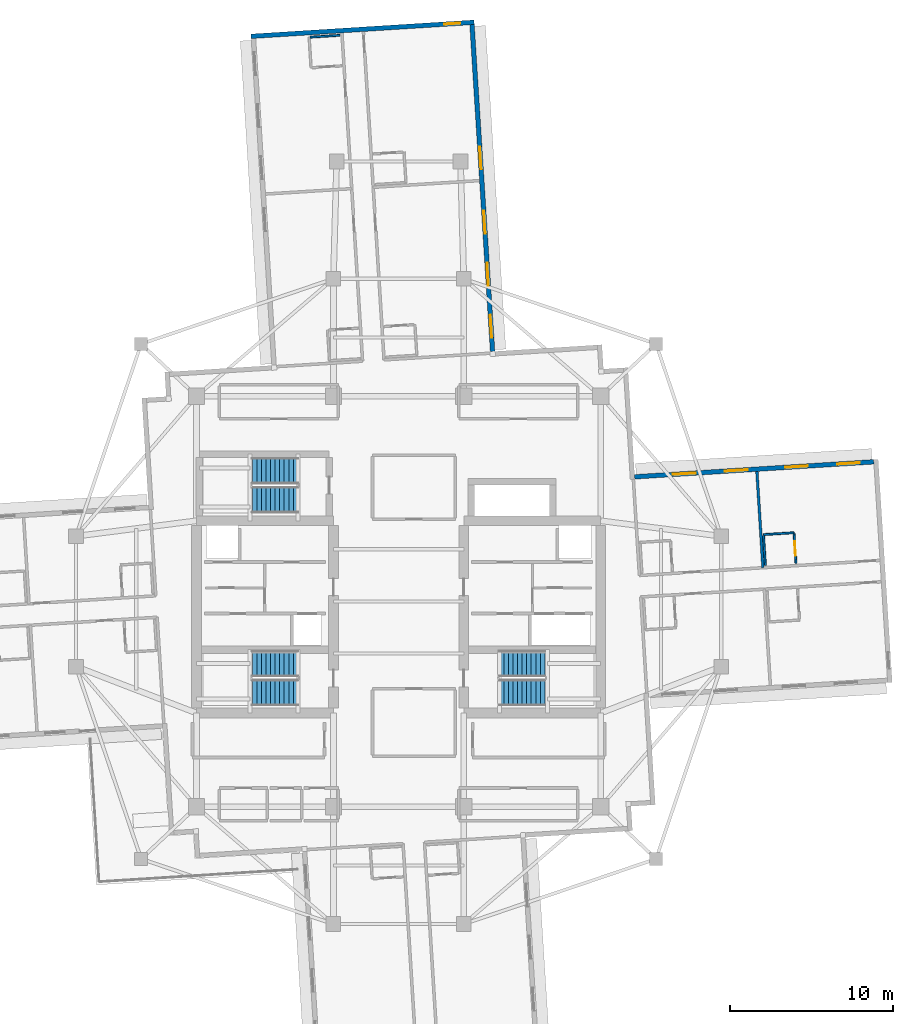
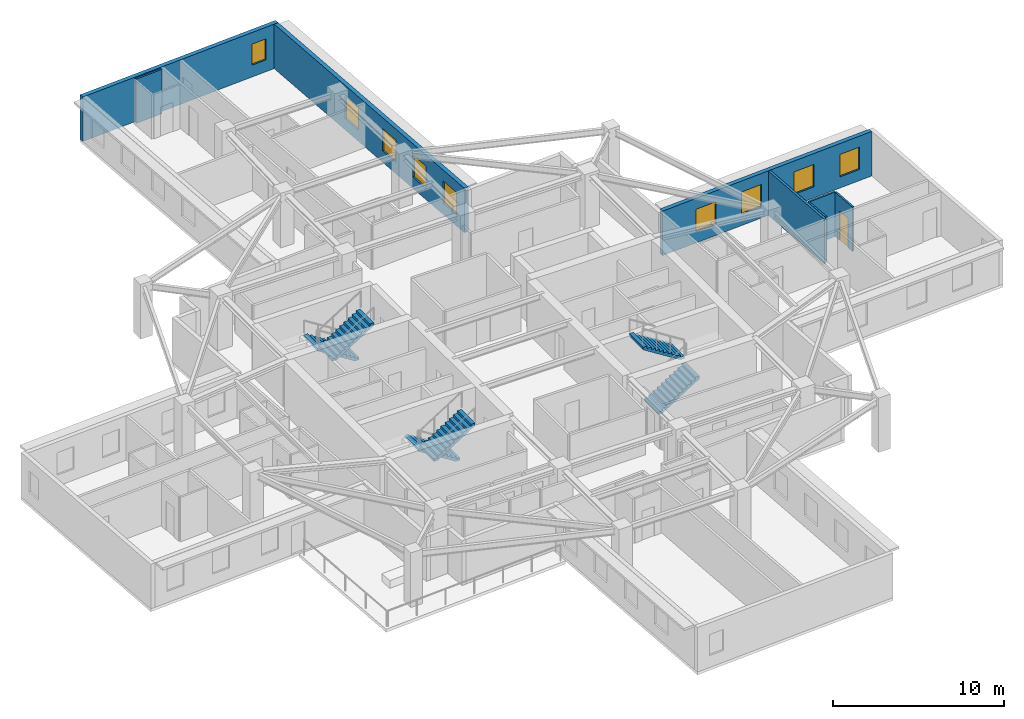
# One storey, part 8 of 12: 9 windows, 8 walls, 6 stair flights, 1 door, 10 openings, 3 elements without a shape of their own.
"""IFC4 building model written with IfcOpenShell, lengths in metres."""

from ifc_helpers import new_model, si_unit, direction, frame, frame_2d, origin, place, context, subcontext, project, spatial, polyline, rectangle, outline, extrude, material, layer, layer_set, type_object, element, fill, aggregate, save


model = new_model("IFC4")

# Units and contexts
model_context = context("Model", 3, precision=1e-05, world=origin(), true_north=direction((0.0, 1.0)))
body_context = subcontext(model_context, "Body", "Model", "MODEL_VIEW")
ifc_project = project(units=[si_unit("LENGTHUNIT", "METRE"), si_unit("AREAUNIT", "SQUARE_METRE"), si_unit("VOLUMEUNIT", "CUBIC_METRE"), si_unit("PLANEANGLEUNIT", "RADIAN"), si_unit("MASSUNIT", "GRAM", prefix="KILO")], contexts=[model_context])

# Site, building, storey
site_placement = place(None, origin())
site = spatial("IfcSite", under=ifc_project, at=site_placement, CompositionType="ELEMENT")
building_placement = place(site_placement, origin())
building = spatial("IfcBuilding", under=site, at=building_placement, Name="Qingluan Cross Belvedere", CompositionType="ELEMENT")
storey_placement = place(building_placement, frame((0.0, 0.0, 209.10009765625)))
storey = spatial("IfcBuildingStorey", under=building, at=storey_placement, Name="L52", CompositionType="ELEMENT", Elevation=209.10009765625)

# Wall
ifc_material_1 = material(Name="Gypsum plasterboard on steel stud acoustic partition", Category="steel")
ifc_layer_1 = layer(ifc_material_1, 0.159912109375, Name="CorridorPartition_160")
ifc_layer_set_1 = layer_set([ifc_layer_1], Name="Gypsum plasterboard on steel stud acoustic partition")
wall_type_1 = type_object("IfcWallType", Name="CorridorPartition_160", PredefinedType="PARTITIONING", material=ifc_layer_set_1)
wall_1_placement = place(storey_placement, frame((22.3603515625, 2.068115234375, 0.0), z_axis=(0.0, 0.0, 1.0), x_axis=(-0.062810194096, 0.998025490415, 0.0)))
element("IfcWall", 1, at=wall_1_placement, inside=storey, type_object=wall_type_1, Name="Partition L52:E:d0_0", PredefinedType="PARTITIONING", context=body_context, shape_type="SweptSolid", body=[
    extrude(rectangle(XDim=5.912109375, YDim=0.159912109375, at=frame_2d((2.9560546875, 0.0))), origin(), (0.0, 0.0, 1.0), 3.169921875),
])

# Wall, opening, door
ifc_material_2 = material(Name="Moisture-resistant gypsum board lining")
ifc_layer_2 = layer(ifc_material_2, 0.1201171875, Name="EnsuiteWetPartition_120")
ifc_layer_set_2 = layer_set([ifc_layer_2], Name="Moisture-resistant gypsum board lining")
wall_type_2 = type_object("IfcWallType", Name="EnsuiteWetPartition_120", PredefinedType="PARTITIONING", material=ifc_layer_set_2)
wall_2_placement = place(storey_placement, frame((24.387451171875, 2.3359375, 0.0), z_axis=(0.0, 0.0, 1.0), x_axis=(-0.062779145668, 0.998027443946, 0.0)))
wall_2 = element("IfcWall", 2, at=wall_2_placement, inside=storey, type_object=wall_type_2, Name="Partition L52:E:bs0_1", PredefinedType="PARTITIONING", context=body_context, shape_type="SweptSolid", body=[
    extrude(rectangle(XDim=1.820068359375, YDim=0.1201171875, at=frame_2d((0.91015625, 0.0))), origin(), (0.0, 0.0, 1.0), 3.169921875),
])
opening_1_placement = place(wall_2_placement, frame((0.469970703125, 0.0, 0.0)))
opening_1 = element("IfcOpeningElement", 3, at=opening_1_placement, cuts=wall_2, Name="Opening BD-09", PredefinedType="OPENING", context=body_context, shape_type="SweptSolid", body=[
    extrude(rectangle(XDim=0.8798828125, YDim=2.10009765625, at=frame_2d((0.43994140625, 1.050048828125))), frame((0.0, 0.070068359375, 0.0), z_axis=(0.0, -1.0, 0.0), x_axis=(1.0, 0.0, 0.0)), (0.0, 0.0, 1.0), 0.14013671875),
])
ifc_material_3 = material(Name="Moisture-sealed timber en-suite door", Category="wood")
door_type = type_object("IfcDoorType", Name="BathroomDoor_880", OperationType="NOTDEFINED", PredefinedType="DOOR", material=ifc_material_3)
door_placement = place(opening_1_placement, origin())
door = element("IfcDoor", 4, at=door_placement, inside=storey, type_object=door_type, Name="Bathroom door 5202", OperationType="SINGLE_SWING_LEFT", OverallHeight=2.10009765625, OverallWidth=0.8798828125, PredefinedType="DOOR", context=body_context, shape_type="SweptSolid", body=[
    extrude(rectangle(XDim=0.8798828125, YDim=2.10009765625, at=frame_2d((0.43994140625, 1.050048828125))), frame((0.0, 0.02490234375, 0.0), z_axis=(0.0, -1.0, 0.0), x_axis=(1.0, 0.0, 0.0)), (0.0, 0.0, 1.0), 0.050048828125),
])
fill(opening_1, door)

# Walls
wall_3_placement = place(storey_placement, frame((22.51123046875, 2.218017578125, 0.0), z_axis=(0.0, 0.0, 1.0), x_axis=(-0.062787551592, 0.998026915151, 0.0)))
element("IfcWall", 5, at=wall_3_placement, inside=storey, type_object=wall_type_2, Name="Partition L52:E:bw0_1", PredefinedType="PARTITIONING", context=body_context, shape_type="SweptSolid", body=[
    extrude(rectangle(XDim=1.81982421875, YDim=0.1201171875, at=frame_2d((0.909912109375, 0.0))), origin(), (0.0, 0.0, 1.0), 3.169921875),
])
wall_4_placement = place(storey_placement, frame((22.392822265625, 4.09912109375, 0.0), z_axis=(0.0, 0.0, 1.0), x_axis=(0.998022650819, 0.062855297722, 0.0)))
element("IfcWall", 6, at=wall_4_placement, inside=storey, type_object=wall_type_2, Name="Partition L52:E:bn0_1", PredefinedType="PARTITIONING", context=body_context, shape_type="SweptSolid", body=[
    extrude(rectangle(XDim=1.8798828125, YDim=0.1201171875, at=frame_2d((0.93994140625, 0.0))), origin(), (0.0, 0.0, 1.0), 3.169921875),
])
wall_5_placement = place(storey_placement, frame((-5.425048828125, 34.627685546875, 0.0), z_axis=(0.0, 0.0, 1.0), x_axis=(0.998027443946, 0.062779145668, 0.0)))
element("IfcWall", 7, at=wall_5_placement, inside=storey, type_object=wall_type_2, Name="Partition L52:N:bw1_1", PredefinedType="PARTITIONING", context=body_context, shape_type="SweptSolid", body=[
    extrude(rectangle(XDim=1.820068359375, YDim=0.1201171875, at=frame_2d((0.91015625, 0.0))), origin(), (0.0, 0.0, 1.0), 3.169921875),
])

# Wall, openings, windows
ifc_material_4 = material(Name="Precast concrete C45", Category="concrete")
ifc_layer_3 = layer(ifc_material_4, 0.280029296875, Name="PrecastFacadeWall_280")
ifc_layer_set_3 = layer_set([ifc_layer_3], Name="Precast concrete C45")
wall_type_3 = type_object("IfcWallType", Name="PrecastFacadeWall_280", PredefinedType="STANDARD", material=ifc_layer_set_3)
wall_6_placement = place(storey_placement, frame((29.15966796875, 8.56787109375, 0.0), z_axis=(0.0, 0.0, 1.0), x_axis=(-0.998026448555, -0.062794967833, 0.0)))
wall_6 = element("IfcWall", 8, at=wall_6_placement, inside=storey, type_object=wall_type_3, Name="Facade wall L52-EB", PredefinedType="STANDARD", context=body_context, shape_type="SweptSolid", body=[
    extrude(rectangle(XDim=14.7001953125, YDim=0.280029296875, at=frame_2d((7.35009765625, 0.0))), origin(), (0.0, 0.0, 1.0), 3.179931640625),
])
opening_2_placement = place(wall_6_placement, frame((0.85009765625, 0.0, 0.800048828125)))
opening_2 = element("IfcOpeningElement", 9, at=opening_2_placement, cuts=wall_6, Name="Opening W-01", PredefinedType="OPENING", context=body_context, shape_type="SweptSolid", body=[
    extrude(rectangle(XDim=1.39990234375, YDim=1.60009765625, at=frame_2d((0.699951171875, 0.800048828125))), frame((0.0, 0.14990234375, 0.0), z_axis=(0.0, -1.0, 0.0), x_axis=(1.0, 0.0, 0.0)), (0.0, 0.0, 1.0), 0.300048828125),
])
opening_3_placement = place(wall_6_placement, frame((4.050048828125, 0.0, 0.800048828125)))
opening_3 = element("IfcOpeningElement", 10, at=opening_3_placement, cuts=wall_6, Name="Opening W-01", PredefinedType="OPENING", context=body_context, shape_type="SweptSolid", body=[
    extrude(rectangle(XDim=1.39990234375, YDim=1.60009765625, at=frame_2d((0.699951171875, 0.800048828125))), frame((0.0, 0.14990234375, 0.0), z_axis=(0.0, -1.0, 0.0), x_axis=(1.0, 0.0, 0.0)), (0.0, 0.0, 1.0), 0.300048828125),
])
opening_4_placement = place(wall_6_placement, frame((7.75, 0.0, 0.800048828125)))
opening_4 = element("IfcOpeningElement", 11, at=opening_4_placement, cuts=wall_6, Name="Opening W-01", PredefinedType="OPENING", context=body_context, shape_type="SweptSolid", body=[
    extrude(rectangle(XDim=1.39990234375, YDim=1.60009765625, at=frame_2d((0.699951171875, 0.800048828125))), frame((0.0, 0.14990234375, 0.0), z_axis=(0.0, -1.0, 0.0), x_axis=(1.0, 0.0, 0.0)), (0.0, 0.0, 1.0), 0.300048828125),
])
opening_5_placement = place(wall_6_placement, frame((10.949951171875, 0.0, 0.800048828125)))
opening_5 = element("IfcOpeningElement", 12, at=opening_5_placement, cuts=wall_6, Name="Opening W-01", PredefinedType="OPENING", context=body_context, shape_type="SweptSolid", body=[
    extrude(rectangle(XDim=1.39990234375, YDim=1.60009765625, at=frame_2d((0.699951171875, 0.800048828125))), frame((0.0, 0.14990234375, 0.0), z_axis=(0.0, -1.0, 0.0), x_axis=(1.0, 0.0, 0.0)), (0.0, 0.0, 1.0), 0.300048828125),
])
ifc_material_5 = material(Name="Thermally broken triple Low-E glass in aluminium frame", Category="aluminium")
window_type_1 = type_object("IfcWindowType", Name="TriRibbonWin_1400x1600", PartitioningType="SINGLE_PANEL", PredefinedType="WINDOW", material=ifc_material_5)
window_1_placement = place(opening_2_placement, origin())
window_1 = element("IfcWindow", 13, at=window_1_placement, inside=storey, type_object=window_type_1, Name="Ribbon window L52-EB-1", OverallHeight=1.60009765625, OverallWidth=1.39990234375, PartitioningType="SINGLE_PANEL", PredefinedType="WINDOW", context=body_context, shape_type="SweptSolid", body=[
    extrude(rectangle(XDim=1.39990234375, YDim=1.60009765625, at=frame_2d((0.699951171875, 0.800048828125))), frame((0.0, 0.030029296875, 0.0), z_axis=(0.0, -1.0, 0.0), x_axis=(1.0, 0.0, 0.0)), (0.0, 0.0, 1.0), 0.06005859375),
])
fill(opening_2, window_1)
window_2_placement = place(opening_3_placement, origin())
window_2 = element("IfcWindow", 14, at=window_2_placement, inside=storey, type_object=window_type_1, Name="Ribbon window L52-EB-2", OverallHeight=1.60009765625, OverallWidth=1.39990234375, PartitioningType="SINGLE_PANEL", PredefinedType="WINDOW", context=body_context, shape_type="SweptSolid", body=[
    extrude(rectangle(XDim=1.39990234375, YDim=1.60009765625, at=frame_2d((0.699951171875, 0.800048828125))), frame((0.0, 0.030029296875, 0.0), z_axis=(0.0, -1.0, 0.0), x_axis=(1.0, 0.0, 0.0)), (0.0, 0.0, 1.0), 0.06005859375),
])
fill(opening_3, window_2)
window_3_placement = place(opening_4_placement, origin())
window_3 = element("IfcWindow", 15, at=window_3_placement, inside=storey, type_object=window_type_1, Name="Ribbon window L52-EB-3", OverallHeight=1.60009765625, OverallWidth=1.39990234375, PartitioningType="SINGLE_PANEL", PredefinedType="WINDOW", context=body_context, shape_type="SweptSolid", body=[
    extrude(rectangle(XDim=1.39990234375, YDim=1.60009765625, at=frame_2d((0.699951171875, 0.800048828125))), frame((0.0, 0.030029296875, 0.0), z_axis=(0.0, -1.0, 0.0), x_axis=(1.0, 0.0, 0.0)), (0.0, 0.0, 1.0), 0.06005859375),
])
fill(opening_4, window_3)
window_4_placement = place(opening_5_placement, origin())
window_4 = element("IfcWindow", 16, at=window_4_placement, inside=storey, type_object=window_type_1, Name="Ribbon window L52-EB-4", OverallHeight=1.60009765625, OverallWidth=1.39990234375, PartitioningType="SINGLE_PANEL", PredefinedType="WINDOW", context=body_context, shape_type="SweptSolid", body=[
    extrude(rectangle(XDim=1.39990234375, YDim=1.60009765625, at=frame_2d((0.699951171875, 0.800048828125))), frame((0.0, 0.030029296875, 0.0), z_axis=(0.0, -1.0, 0.0), x_axis=(1.0, 0.0, 0.0)), (0.0, 0.0, 1.0), 0.06005859375),
])
fill(opening_5, window_4)

wall_7_placement = place(storey_placement, frame((5.7685546875, 15.33251953125, 0.0), z_axis=(0.0, 0.0, 1.0), x_axis=(-0.062784355807, 0.998027116198, 0.0)))
wall_7 = element("IfcWall", 17, at=wall_7_placement, inside=storey, type_object=wall_type_3, Name="Facade wall L52-NA", PredefinedType="STANDARD", context=body_context, shape_type="SweptSolid", body=[
    extrude(rectangle(XDim=20.099853515625, YDim=0.280029296875, at=frame_2d((10.0498046875, 0.0))), origin(), (0.0, 0.0, 1.0), 3.179931640625),
])
opening_6_placement = place(wall_7_placement, frame((0.85009765625, 0.0, 0.800048828125)))
opening_6 = element("IfcOpeningElement", 18, at=opening_6_placement, cuts=wall_7, Name="Opening W-01", PredefinedType="OPENING", context=body_context, shape_type="SweptSolid", body=[
    extrude(rectangle(XDim=1.39990234375, YDim=1.60009765625, at=frame_2d((0.699951171875, 0.800048828125))), frame((0.0, 0.14990234375, 0.0), z_axis=(0.0, -1.0, 0.0), x_axis=(1.0, 0.0, 0.0)), (0.0, 0.0, 1.0), 0.300048828125),
])
opening_7_placement = place(wall_7_placement, frame((4.050048828125, 0.0, 0.800048828125)))
opening_7 = element("IfcOpeningElement", 19, at=opening_7_placement, cuts=wall_7, Name="Opening W-01", PredefinedType="OPENING", context=body_context, shape_type="SweptSolid", body=[
    extrude(rectangle(XDim=1.39990234375, YDim=1.60009765625, at=frame_2d((0.699951171875, 0.800048828125))), frame((0.0, 0.14990234375, 0.0), z_axis=(0.0, -1.0, 0.0), x_axis=(1.0, 0.0, 0.0)), (0.0, 0.0, 1.0), 0.300048828125),
])
opening_8_placement = place(wall_7_placement, frame((7.25, 0.0, 0.800048828125)))
opening_8 = element("IfcOpeningElement", 20, at=opening_8_placement, cuts=wall_7, Name="Opening W-01", PredefinedType="OPENING", context=body_context, shape_type="SweptSolid", body=[
    extrude(rectangle(XDim=1.39990234375, YDim=1.60009765625, at=frame_2d((0.699951171875, 0.800048828125))), frame((0.0, 0.14990234375, 0.0), z_axis=(0.0, -1.0, 0.0), x_axis=(1.0, 0.0, 0.0)), (0.0, 0.0, 1.0), 0.300048828125),
])
opening_9_placement = place(wall_7_placement, frame((11.199951171875, 0.0, 0.800048828125)))
opening_9 = element("IfcOpeningElement", 21, at=opening_9_placement, cuts=wall_7, Name="Opening W-01", PredefinedType="OPENING", context=body_context, shape_type="SweptSolid", body=[
    extrude(rectangle(XDim=1.39990234375, YDim=1.60009765625, at=frame_2d((0.699951171875, 0.800048828125))), frame((0.0, 0.14990234375, 0.0), z_axis=(0.0, -1.0, 0.0), x_axis=(1.0, 0.0, 0.0)), (0.0, 0.0, 1.0), 0.300048828125),
])
window_5_placement = place(opening_6_placement, origin())
window_5 = element("IfcWindow", 22, at=window_5_placement, inside=storey, type_object=window_type_1, Name="Ribbon window L52-NA-1", OverallHeight=1.60009765625, OverallWidth=1.39990234375, PartitioningType="SINGLE_PANEL", PredefinedType="WINDOW", context=body_context, shape_type="SweptSolid", body=[
    extrude(rectangle(XDim=1.39990234375, YDim=1.60009765625, at=frame_2d((0.699951171875, 0.800048828125))), frame((0.0, 0.030029296875, 0.0), z_axis=(0.0, -1.0, 0.0), x_axis=(1.0, 0.0, 0.0)), (0.0, 0.0, 1.0), 0.06005859375),
])
fill(opening_6, window_5)
window_6_placement = place(opening_7_placement, origin())
window_6 = element("IfcWindow", 23, at=window_6_placement, inside=storey, type_object=window_type_1, Name="Ribbon window L52-NA-2", OverallHeight=1.60009765625, OverallWidth=1.39990234375, PartitioningType="SINGLE_PANEL", PredefinedType="WINDOW", context=body_context, shape_type="SweptSolid", body=[
    extrude(rectangle(XDim=1.39990234375, YDim=1.60009765625, at=frame_2d((0.699951171875, 0.800048828125))), frame((0.0, 0.030029296875, 0.0), z_axis=(0.0, -1.0, 0.0), x_axis=(1.0, 0.0, 0.0)), (0.0, 0.0, 1.0), 0.06005859375),
])
fill(opening_7, window_6)
window_7_placement = place(opening_8_placement, origin())
window_7 = element("IfcWindow", 24, at=window_7_placement, inside=storey, type_object=window_type_1, Name="Ribbon window L52-NA-3", OverallHeight=1.60009765625, OverallWidth=1.39990234375, PartitioningType="SINGLE_PANEL", PredefinedType="WINDOW", context=body_context, shape_type="SweptSolid", body=[
    extrude(rectangle(XDim=1.39990234375, YDim=1.60009765625, at=frame_2d((0.699951171875, 0.800048828125))), frame((0.0, 0.030029296875, 0.0), z_axis=(0.0, -1.0, 0.0), x_axis=(1.0, 0.0, 0.0)), (0.0, 0.0, 1.0), 0.06005859375),
])
fill(opening_8, window_7)
window_8_placement = place(opening_9_placement, origin())
window_8 = element("IfcWindow", 25, at=window_8_placement, inside=storey, type_object=window_type_1, Name="Ribbon window L52-NA-4", OverallHeight=1.60009765625, OverallWidth=1.39990234375, PartitioningType="SINGLE_PANEL", PredefinedType="WINDOW", context=body_context, shape_type="SweptSolid", body=[
    extrude(rectangle(XDim=1.39990234375, YDim=1.60009765625, at=frame_2d((0.699951171875, 0.800048828125))), frame((0.0, 0.030029296875, 0.0), z_axis=(0.0, -1.0, 0.0), x_axis=(1.0, 0.0, 0.0)), (0.0, 0.0, 1.0), 0.06005859375),
])
fill(opening_9, window_8)

# Wall, opening, window
wall_8_placement = place(storey_placement, frame((4.637451171875, 35.541259765625, 0.0), z_axis=(0.0, 0.0, 1.0), x_axis=(-0.998026318072, -0.062797041623, 0.0)))
wall_8 = element("IfcWall", 26, at=wall_8_placement, inside=storey, type_object=wall_type_3, Name="Arm tip precast facade wall L52-N", PredefinedType="STANDARD", context=body_context, shape_type="SweptSolid", body=[
    extrude(rectangle(XDim=13.719970703125, YDim=0.280029296875, at=frame_2d((6.85986328125, 0.0))), origin(), (0.0, 0.0, 1.0), 3.179931640625),
])
opening_10_placement = place(wall_8_placement, frame((0.85009765625, 0.0, 0.85009765625)))
opening_10 = element("IfcOpeningElement", 27, at=opening_10_placement, cuts=wall_8, Name="Opening W-03", PredefinedType="OPENING", context=body_context, shape_type="SweptSolid", body=[
    extrude(rectangle(XDim=1.0, YDim=1.5, at=frame_2d((0.5, 0.75))), frame((0.0, 0.14990234375, 0.0), z_axis=(0.0, -1.0, 0.0), x_axis=(1.0, 0.0, 0.0)), (0.0, 0.0, 1.0), 0.300048828125),
])
ifc_material_6 = material(Name="Thermally broken triple Low-E glass in aluminium frame", Category="aluminium")
window_type_2 = type_object("IfcWindowType", Name="TriApexWin_1000x1500", PartitioningType="SINGLE_PANEL", PredefinedType="WINDOW", material=ifc_material_6)
window_9_placement = place(opening_10_placement, origin())
window_9 = element("IfcWindow", 28, at=window_9_placement, inside=storey, type_object=window_type_2, Name="Arm tip triangular window L52-N", OverallHeight=1.5, OverallWidth=1.0, PartitioningType="SINGLE_PANEL", PredefinedType="WINDOW", context=body_context, shape_type="SweptSolid", body=[
    extrude(rectangle(XDim=1.0, YDim=1.5, at=frame_2d((0.5, 0.75))), frame((0.0, 0.030029296875, 0.0), z_axis=(0.0, -1.0, 0.0), x_axis=(1.0, 0.0, 0.0)), (0.0, 0.0, 1.0), 0.06005859375),
])
fill(opening_10, window_9)

# Stair, stair flights
ifc_material_7 = material(Name="Concrete C40", Category="concrete")
stair_type = type_object("IfcStairType", Name="CoreDoglegStair_1620", PredefinedType="HALF_TURN_STAIR", material=ifc_material_7)
stair_1_placement = place(storey_placement, origin())
stair_1 = element("IfcStair", 29, at=stair_1_placement, inside=storey, type_object=stair_type, Name="L52 ST1", PredefinedType="HALF_TURN_STAIR")
ifc_material_8 = material(Name="Concrete C40", Category="concrete")
ifc_layer_4 = layer(ifc_material_8, 0.179931640625, Name="StairFlight_RC180")
ifc_layer_set_4 = layer_set([ifc_layer_4], Name="Concrete C40")
stair_flight_type = type_object("IfcStairFlightType", Name="StairFlight_RC180", PredefinedType="STRAIGHT", material=ifc_layer_set_4)
stair_flight_1_placement = place(storey_placement, frame((-6.179931640625, -3.81005859375, 0.0), z_axis=(0.0, 0.0, 1.0), x_axis=(-1.0, 0.0, 0.0)))
stair_flight_1 = element("IfcStairFlight", 30, at=stair_flight_1_placement, type_object=stair_flight_type, Name="ST1 flight 1", NumberOfRisers=11, NumberOfTreads=10, PredefinedType="STRAIGHT", RiserHeight=0.177272727, TreadLength=0.28, context=body_context, shape_type="SweptSolid", body=[
    extrude(outline(polyline([(0.0, 0.0), (0.0, 0.17724609375), (0.280029296875, 0.17724609375), (0.280029296875, 0.3544921875), (0.56005859375, 0.3544921875), (0.56005859375, 0.53173828125), (0.840087890625, 0.53173828125), (0.840087890625, 0.708984375), (1.1201171875, 0.708984375), (1.1201171875, 0.886474609375), (1.39990234375, 0.886474609375), (1.39990234375, 1.063720703125), (1.679931640625, 1.063720703125), (1.679931640625, 1.240966796875), (1.9599609375, 1.240966796875), (1.9599609375, 1.418212890625), (2.239990234375, 1.418212890625), (2.239990234375, 1.595458984375), (2.52001953125, 1.595458984375), (2.52001953125, 1.772705078125), (2.800048828125, 1.772705078125), (2.800048828125, 1.949951171875), (2.800048828125, 1.59521484375), (0.2802734375, 0.0), (0.0, 0.0)])), frame((0.0, 0.81005859375, 0.0), z_axis=(0.0, -1.0, 0.0), x_axis=(1.0, 0.0, 0.0)), (0.0, 0.0, 1.0), 1.6201171875),
])
stair_flight_2_placement = place(storey_placement, frame((-8.97998046875, -5.590087890625, 1.949951171875), z_axis=(0.0, 0.0, 1.0), x_axis=(1.0, 0.0, 0.0)))
stair_flight_2 = element("IfcStairFlight", 31, at=stair_flight_2_placement, type_object=stair_flight_type, Name="ST1 flight 2", NumberOfRisers=11, NumberOfTreads=10, PredefinedType="STRAIGHT", RiserHeight=0.177272727, TreadLength=0.28, context=body_context, shape_type="SweptSolid", body=[
    extrude(outline(polyline([(0.0, 0.0), (0.0, 0.17724609375), (0.280029296875, 0.17724609375), (0.280029296875, 0.3544921875), (0.56005859375, 0.3544921875), (0.56005859375, 0.53173828125), (0.840087890625, 0.53173828125), (0.840087890625, 0.708984375), (1.1201171875, 0.708984375), (1.1201171875, 0.886474609375), (1.39990234375, 0.886474609375), (1.39990234375, 1.063720703125), (1.679931640625, 1.063720703125), (1.679931640625, 1.240966796875), (1.9599609375, 1.240966796875), (1.9599609375, 1.418212890625), (2.239990234375, 1.418212890625), (2.239990234375, 1.595458984375), (2.52001953125, 1.595458984375), (2.52001953125, 1.772705078125), (2.800048828125, 1.772705078125), (2.800048828125, 1.949951171875), (2.800048828125, 1.59521484375), (0.2802734375, 0.0), (0.0, 0.0)])), frame((0.0, 0.81005859375, 0.0), z_axis=(0.0, -1.0, 0.0), x_axis=(1.0, 0.0, 0.0)), (0.0, 0.0, 1.0), 1.6201171875),
])
aggregate(stair_1, [stair_flight_1, stair_flight_2])

stair_2_placement = place(storey_placement, origin())
stair_2 = element("IfcStair", 32, at=stair_2_placement, inside=storey, type_object=stair_type, Name="L52 ST2", PredefinedType="HALF_TURN_STAIR")
stair_flight_3_placement = place(storey_placement, frame((6.179931640625, -5.590087890625, 0.0), z_axis=(0.0, 0.0, 1.0), x_axis=(1.0, 0.0, 0.0)))
stair_flight_3 = element("IfcStairFlight", 33, at=stair_flight_3_placement, type_object=stair_flight_type, Name="ST2 flight 1", NumberOfRisers=11, NumberOfTreads=10, PredefinedType="STRAIGHT", RiserHeight=0.177272727, TreadLength=0.28, context=body_context, shape_type="SweptSolid", body=[
    extrude(outline(polyline([(0.0, 0.0), (0.0, 0.17724609375), (0.280029296875, 0.17724609375), (0.280029296875, 0.3544921875), (0.56005859375, 0.3544921875), (0.56005859375, 0.53173828125), (0.840087890625, 0.53173828125), (0.840087890625, 0.708984375), (1.1201171875, 0.708984375), (1.1201171875, 0.886474609375), (1.39990234375, 0.886474609375), (1.39990234375, 1.063720703125), (1.679931640625, 1.063720703125), (1.679931640625, 1.240966796875), (1.9599609375, 1.240966796875), (1.9599609375, 1.418212890625), (2.239990234375, 1.418212890625), (2.239990234375, 1.595458984375), (2.52001953125, 1.595458984375), (2.52001953125, 1.772705078125), (2.800048828125, 1.772705078125), (2.800048828125, 1.949951171875), (2.800048828125, 1.59521484375), (0.2802734375, 0.0), (0.0, 0.0)])), frame((0.0, 0.81005859375, 0.0), z_axis=(0.0, -1.0, 0.0), x_axis=(1.0, 0.0, 0.0)), (0.0, 0.0, 1.0), 1.6201171875),
])
stair_flight_4_placement = place(storey_placement, frame((8.97998046875, -3.81005859375, 1.949951171875), z_axis=(0.0, 0.0, 1.0), x_axis=(-1.0, 0.0, 0.0)))
stair_flight_4 = element("IfcStairFlight", 34, at=stair_flight_4_placement, type_object=stair_flight_type, Name="ST2 flight 2", NumberOfRisers=11, NumberOfTreads=10, PredefinedType="STRAIGHT", RiserHeight=0.177272727, TreadLength=0.28, context=body_context, shape_type="SweptSolid", body=[
    extrude(outline(polyline([(0.0, 0.0), (0.0, 0.17724609375), (0.280029296875, 0.17724609375), (0.280029296875, 0.3544921875), (0.56005859375, 0.3544921875), (0.56005859375, 0.53173828125), (0.840087890625, 0.53173828125), (0.840087890625, 0.708984375), (1.1201171875, 0.708984375), (1.1201171875, 0.886474609375), (1.39990234375, 0.886474609375), (1.39990234375, 1.063720703125), (1.679931640625, 1.063720703125), (1.679931640625, 1.240966796875), (1.9599609375, 1.240966796875), (1.9599609375, 1.418212890625), (2.239990234375, 1.418212890625), (2.239990234375, 1.595458984375), (2.52001953125, 1.595458984375), (2.52001953125, 1.772705078125), (2.800048828125, 1.772705078125), (2.800048828125, 1.949951171875), (2.800048828125, 1.59521484375), (0.2802734375, 0.0), (0.0, 0.0)])), frame((0.0, 0.81005859375, 0.0), z_axis=(0.0, -1.0, 0.0), x_axis=(1.0, 0.0, 0.0)), (0.0, 0.0, 1.0), 1.6201171875),
])
aggregate(stair_2, [stair_flight_3, stair_flight_4])

stair_3_placement = place(storey_placement, origin())
stair_3 = element("IfcStair", 35, at=stair_3_placement, inside=storey, type_object=stair_type, Name="L52 ST3", PredefinedType="HALF_TURN_STAIR")
stair_flight_5_placement = place(storey_placement, frame((-6.179931640625, 8.010009765625, 0.0), z_axis=(0.0, 0.0, 1.0), x_axis=(-1.0, 0.0, 0.0)))
stair_flight_5 = element("IfcStairFlight", 36, at=stair_flight_5_placement, type_object=stair_flight_type, Name="ST3 flight 1", NumberOfRisers=11, NumberOfTreads=10, PredefinedType="STRAIGHT", RiserHeight=0.177272727, TreadLength=0.28, context=body_context, shape_type="SweptSolid", body=[
    extrude(outline(polyline([(0.0, 0.0), (0.0, 0.17724609375), (0.280029296875, 0.17724609375), (0.280029296875, 0.3544921875), (0.56005859375, 0.3544921875), (0.56005859375, 0.53173828125), (0.840087890625, 0.53173828125), (0.840087890625, 0.708984375), (1.1201171875, 0.708984375), (1.1201171875, 0.886474609375), (1.39990234375, 0.886474609375), (1.39990234375, 1.063720703125), (1.679931640625, 1.063720703125), (1.679931640625, 1.240966796875), (1.9599609375, 1.240966796875), (1.9599609375, 1.418212890625), (2.239990234375, 1.418212890625), (2.239990234375, 1.595458984375), (2.52001953125, 1.595458984375), (2.52001953125, 1.772705078125), (2.800048828125, 1.772705078125), (2.800048828125, 1.949951171875), (2.800048828125, 1.59521484375), (0.2802734375, 0.0), (0.0, 0.0)])), frame((0.0, 0.81005859375, 0.0), z_axis=(0.0, -1.0, 0.0), x_axis=(1.0, 0.0, 0.0)), (0.0, 0.0, 1.0), 1.6201171875),
])
stair_flight_6_placement = place(storey_placement, frame((-8.97998046875, 6.22998046875, 1.949951171875), z_axis=(0.0, 0.0, 1.0), x_axis=(1.0, 0.0, 0.0)))
stair_flight_6 = element("IfcStairFlight", 37, at=stair_flight_6_placement, type_object=stair_flight_type, Name="ST3 flight 2", NumberOfRisers=11, NumberOfTreads=10, PredefinedType="STRAIGHT", RiserHeight=0.177272727, TreadLength=0.28, context=body_context, shape_type="SweptSolid", body=[
    extrude(outline(polyline([(0.0, 0.0), (0.0, 0.17724609375), (0.280029296875, 0.17724609375), (0.280029296875, 0.3544921875), (0.56005859375, 0.3544921875), (0.56005859375, 0.53173828125), (0.840087890625, 0.53173828125), (0.840087890625, 0.708984375), (1.1201171875, 0.708984375), (1.1201171875, 0.886474609375), (1.39990234375, 0.886474609375), (1.39990234375, 1.063720703125), (1.679931640625, 1.063720703125), (1.679931640625, 1.240966796875), (1.9599609375, 1.240966796875), (1.9599609375, 1.418212890625), (2.239990234375, 1.418212890625), (2.239990234375, 1.595458984375), (2.52001953125, 1.595458984375), (2.52001953125, 1.772705078125), (2.800048828125, 1.772705078125), (2.800048828125, 1.949951171875), (2.800048828125, 1.59521484375), (0.2802734375, 0.0), (0.0, 0.0)])), frame((0.0, 0.81005859375, 0.0), z_axis=(0.0, -1.0, 0.0), x_axis=(1.0, 0.0, 0.0)), (0.0, 0.0, 1.0), 1.6201171875),
])
aggregate(stair_3, [stair_flight_5, stair_flight_6])

save(model, "model.ifc")
